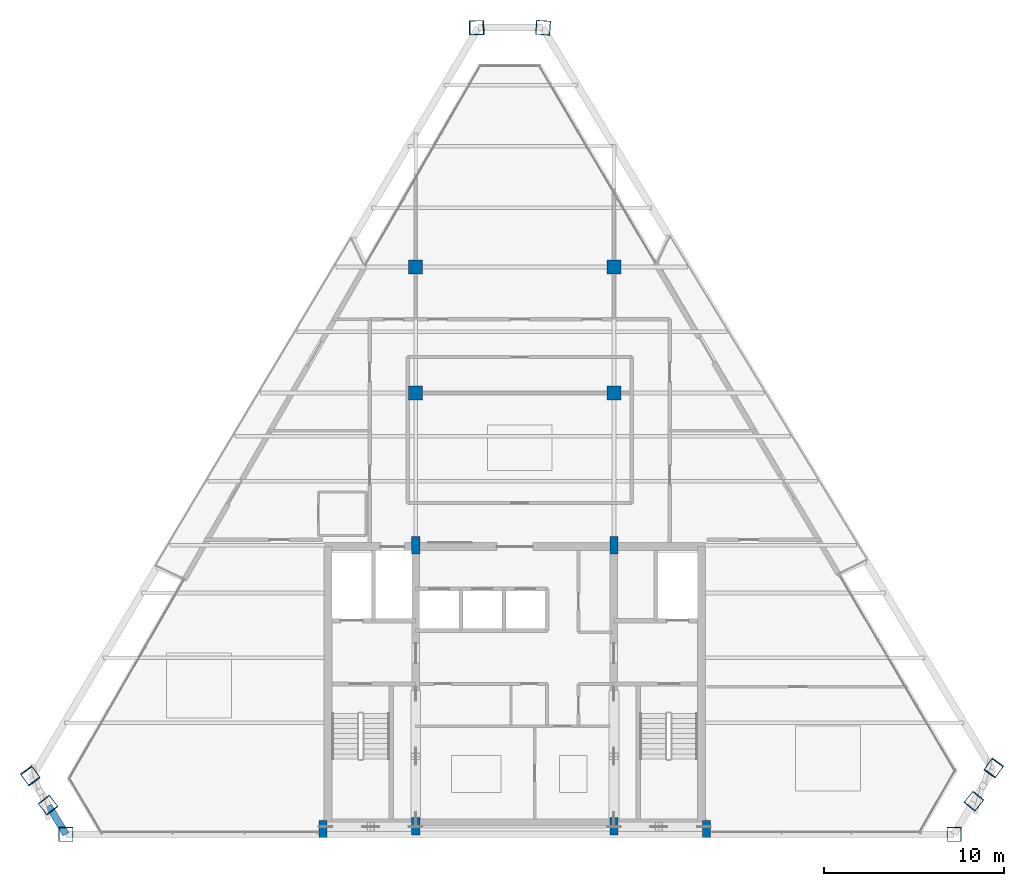
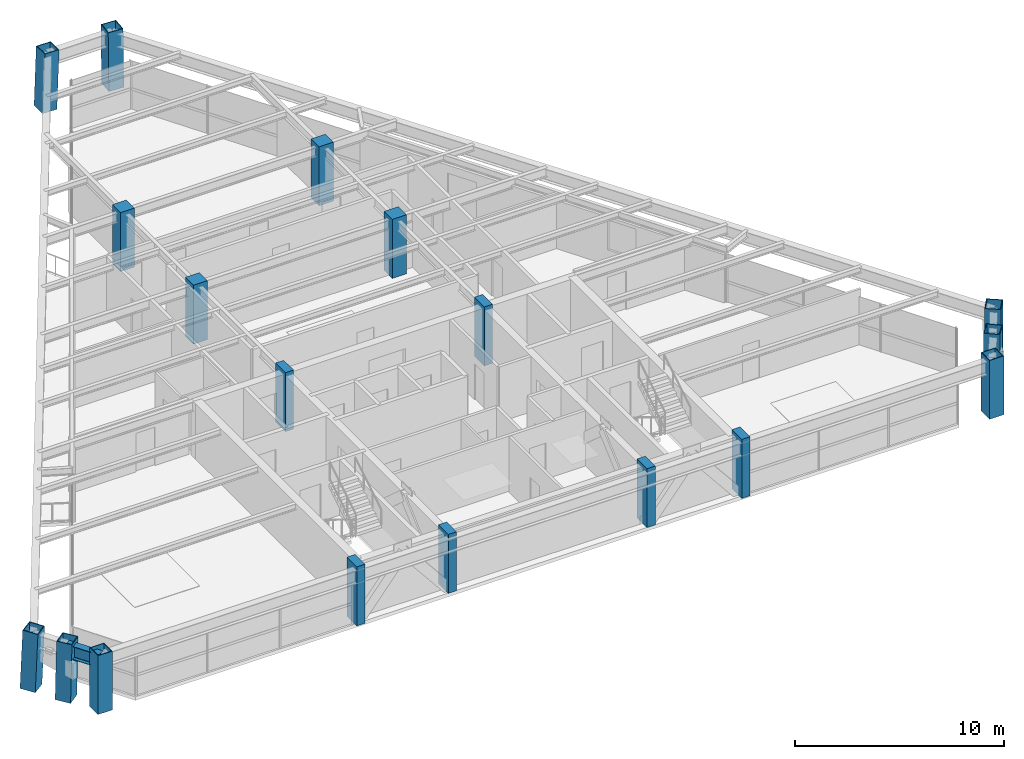
# One storey, part 1 of 13: 18 columns, 1 beam.
"""IFC4 building model written with IfcOpenShell, lengths in metres."""

from ifc_helpers import new_model, si_unit, direction, frame, origin, origin_2d, place, context, subcontext, project, spatial, rectangle, hollow_rectangle, i_section, extrude, source, transform, mapped, material, material_profile, profile_set, type_object, type_shapes, element, save


model = new_model("IFC4")

# Units and contexts
model_context = context("Model", 3, precision=1e-05, world=origin(), true_north=direction((0.0, 1.0)))
body_context = subcontext(model_context, "Body", "Model", "MODEL_VIEW")
ifc_project = project(units=[si_unit("LENGTHUNIT", "METRE"), si_unit("AREAUNIT", "SQUARE_METRE"), si_unit("VOLUMEUNIT", "CUBIC_METRE"), si_unit("PLANEANGLEUNIT", "RADIAN"), si_unit("MASSUNIT", "GRAM", prefix="KILO")], contexts=[model_context])

# Site, building, storey
site_placement = place(None, origin())
site = spatial("IfcSite", under=ifc_project, at=site_placement, CompositionType="ELEMENT")
building_placement = place(site_placement, origin())
building = spatial("IfcBuilding", under=site, at=building_placement, Name="Varnakhor Terracotta Tower", CompositionType="ELEMENT")
storey_placement = place(building_placement, frame((0.0, 0.0, 279.89990234375)))
storey = spatial("IfcBuildingStorey", under=building, at=storey_placement, Name="L73", CompositionType="ELEMENT", Elevation=279.89990234375)

# Columns
ifc_material_1 = material(Name="Concrete C50/60", Category="concrete")
ifc_material_profile_1 = material_profile(ifc_material_1, rectangle(XDim=0.449951171875, YDim=0.949951171875, at=origin_2d()), Name="RC PILASTER 950x450")
ifc_profile_set_1 = profile_set([ifc_material_profile_1], Name="Concrete C50/60")
column_type_1 = type_object("IfcColumnType", Name="COL-PIL-950x450", PredefinedType="PILASTER", material=ifc_profile_set_1)
shared_shape_1 = source(origin(), body_context, "Body", "SweptSolid", [
    extrude(rectangle(XDim=0.449951171875, YDim=0.949951171875, at=origin_2d()), origin(), (0.0, 0.0, 1.0), 3.4501953125),
])
for number, where, z_axis, x_axis, name in (
    (1, (-10.64990234375, 0.300048828125, 0.0), (0.0, 0.0, 1.0), (1.0, 0.0, 0.0), "L73 Core Pilaster CP1"),
    (2, (-5.5, 0.449951171875, 0.0), (0.0, 0.0, 1.0), (1.0, 0.0, 0.0), "L73 Core Pilaster CP2"),
    (3, (5.5, 0.449951171875, 0.0), (0.0, 0.0, 1.0), (1.0, 0.0, 0.0), "L73 Core Pilaster CP3"),
    (4, (10.64990234375, 0.300048828125, 0.0), (0.0, 0.0, 1.0), (1.0, 0.0, 0.0), "L73 Core Pilaster CP4"),
    (5, (-5.5, 16.050048828125, 0.0), (0.0, 0.0, 1.0), (1.0, 0.0, 0.0), "L73 Core Pilaster CP5"),
    (6, (5.5, 16.050048828125, 0.0), (0.0, 0.0, 1.0), (1.0, 0.0, 0.0), "L73 Core Pilaster CP6"),
):
    element("IfcColumn", number, at=place(storey_placement, frame(where, z_axis=z_axis, x_axis=x_axis)), inside=storey, type_object=column_type_1, Name=name, PredefinedType="PILASTER", context=body_context, shape_type="MappedRepresentation", body=[
        mapped(shared_shape_1, transform((0.0, 0.0, 0.0), scale=1.0)),
    ])
ifc_material_profile_2 = material_profile(ifc_material_1, rectangle(XDim=0.780029296875, YDim=0.780029296875, at=origin_2d()), Name="RC 780x780")
ifc_profile_set_2 = profile_set([ifc_material_profile_2], Name="Concrete C50/60")
column_type_2 = type_object("IfcColumnType", Name="COL-RC-780", PredefinedType="COLUMN", material=ifc_profile_set_2)
shared_shape_2 = source(origin(), body_context, "Body", "SweptSolid", [
    extrude(rectangle(XDim=0.780029296875, YDim=0.780029296875, at=origin_2d()), origin(), (0.0, 0.0, 1.0), 3.4501953125),
])
for number, where, z_axis, x_axis, name in (
    (7, (-5.5, 24.5, 0.0), (0.0, 0.0, 1.0), (1.0, 0.0, 0.0), "L73 Interior Tower Column IC1"),
    (8, (5.5, 24.5, 0.0), (0.0, 0.0, 1.0), (1.0, 0.0, 0.0), "L73 Interior Tower Column IC2"),
    (9, (-5.5, 31.5, 0.0), (0.0, 0.0, 1.0), (1.0, 0.0, 0.0), "L73 Interior Tower Column IC3"),
    (10, (5.5, 31.5, 0.0), (0.0, 0.0, 1.0), (1.0, 0.0, 0.0), "L73 Interior Tower Column IC4"),
):
    element("IfcColumn", number, at=place(storey_placement, frame(where, z_axis=z_axis, x_axis=x_axis)), inside=storey, type_object=column_type_2, Name=name, PredefinedType="COLUMN", context=body_context, shape_type="MappedRepresentation", body=[
        mapped(shared_shape_2, transform((0.0, 0.0, 0.0), scale=1.0)),
    ])
ifc_material_2 = material(Name="Steel S355", Category="steel")
ifc_material_profile_3 = material_profile(ifc_material_2, hollow_rectangle(XDim=0.800048828125, YDim=0.800048828125, WallThickness=0.0400390625, at=origin_2d()), Name="BOX 800x800x40")
ifc_profile_set_3 = profile_set([ifc_material_profile_3], Name="Steel S355")
column_type_3 = type_object("IfcColumnType", Name="COL-MEGA-800", PredefinedType="COLUMN", material=ifc_profile_set_3)
shared_shape_3 = source(origin(), body_context, "Body", "SweptSolid", [
    extrude(hollow_rectangle(XDim=0.800048828125, YDim=0.800048828125, WallThickness=0.0400390625, at=origin_2d()), origin(), (0.0, 0.0, 1.0), 3.44140625),
])
type_shapes(column_type_3, [shared_shape_3])
for number, where, z_axis, x_axis, name in (
    (11, (-24.927978515625, 0.0, 0.00439453125), (0.001560724546, 0.0, 0.999998782069), (0.0, 1.0, 0.0), "L73 Perimeter Mega-Column M1"),
    (12, (24.39990234375, 0.0, 0.00439453125), (-0.003192378738, 0.0, 0.999994904346), (0.0, -1.0, 0.0), "L73 Perimeter Mega-Column M2"),
):
    element("IfcColumn", number, at=place(storey_placement, frame(where, z_axis=z_axis, x_axis=x_axis)), inside=storey, type_object=column_type_3, Name=name, PredefinedType="COLUMN", context=body_context, shape_type="MappedRepresentation", body=[
        mapped(shared_shape_3, transform((0.0, 0.0, 0.0), scale=1.0)),
    ])
shared_shape_4 = source(origin(), body_context, "Body", "SweptSolid", [
    extrude(hollow_rectangle(XDim=0.800048828125, YDim=0.800048828125, WallThickness=0.0400390625, at=origin_2d()), origin(), (0.0, 0.0, 1.0), 3.442138671875),
])
for number, where, z_axis, x_axis, name in (
    (13, (25.50341796875, 1.849853515625, 0.00439453125), (-0.012766984447, -0.015604092101, 0.999796737551), (0.773957299203, -0.633237790257, 0.0), "L73 Perimeter Mega-Column M3"),
    (14, (-25.92138671875, 1.630615234375, 0.00439453125), (0.012766825134, -0.016384092255, 0.999784261577), (0.788800290179, 0.614649576762, 0.0), "L73 Perimeter Mega-Column M8"),
):
    element("IfcColumn", number, at=place(storey_placement, frame(where, z_axis=z_axis, x_axis=x_axis)), inside=storey, type_object=column_type_3, Name=name, PredefinedType="COLUMN", context=body_context, shape_type="MappedRepresentation", body=[
        mapped(shared_shape_4, transform((0.0, 0.0, 0.0), scale=1.0)),
    ])
shared_shape_5 = source(origin(), body_context, "Body", "SweptSolid", [
    extrude(hollow_rectangle(XDim=0.800048828125, YDim=0.800048828125, WallThickness=0.0400390625, at=origin_2d()), origin(), (0.0, 0.0, 1.0), 3.44384765625),
])
column_1_placement = place(storey_placement, frame((26.607177734375, 3.69970703125, 0.00439453125), z_axis=(-0.022401220581, -0.031120683023, 0.999264573776), x_axis=(0.811604467602, -0.584207316087, 0.0)))
element("IfcColumn", 15, at=column_1_placement, inside=storey, type_object=column_type_3, Name="L73 Perimeter Mega-Column M4", PredefinedType="COLUMN", context=body_context, shape_type="MappedRepresentation", body=[
    mapped(shared_shape_5, transform((0.0, 0.0, 0.0), scale=1.0)),
])
shared_shape_6 = source(origin(), body_context, "Body", "SweptSolid", [
    extrude(hollow_rectangle(XDim=0.800048828125, YDim=0.800048828125, WallThickness=0.0400390625, at=origin_2d()), origin(), (0.0, 0.0, 1.0), 3.4443359375),
])
column_2_placement = place(storey_placement, frame((-26.914794921875, 3.261474609375, 0.00439453125), z_axis=(0.023958685613, -0.032748262583, 0.999176427205), x_axis=(0.807070933749, 0.590454492656, 0.0)))
element("IfcColumn", 16, at=column_2_placement, inside=storey, type_object=column_type_3, Name="L73 Perimeter Mega-Column M7", PredefinedType="COLUMN", context=body_context, shape_type="MappedRepresentation", body=[
    mapped(shared_shape_6, transform((0.0, 0.0, 0.0), scale=1.0)),
])
shared_shape_7 = source(origin(), body_context, "Body", "SweptSolid", [
    extrude(hollow_rectangle(XDim=0.800048828125, YDim=0.800048828125, WallThickness=0.0400390625, at=origin_2d()), origin(), (0.0, 0.0, 1.0), 3.443603515625),
])
column_3_placement = place(storey_placement, frame((-2.137451171875, 44.787109375, 0.00439453125), z_axis=(0.035377944296, 0.00070897684, 0.999373753112), x_axis=(-0.020036057276, 0.999799258056, 0.0)))
element("IfcColumn", 17, at=column_3_placement, inside=storey, type_object=column_type_3, Name="L73 Perimeter Mega-Column M6", PredefinedType="COLUMN", context=body_context, shape_type="MappedRepresentation", body=[
    mapped(shared_shape_7, transform((0.0, 0.0, 0.0), scale=1.0)),
])
shared_shape_8 = source(origin(), body_context, "Body", "SweptSolid", [
    extrude(hollow_rectangle(XDim=0.800048828125, YDim=0.800048828125, WallThickness=0.0400390625, at=origin_2d()), origin(), (0.0, 0.0, 1.0), 3.441650390625),
])
column_4_placement = place(storey_placement, frame((1.579833984375, 44.787109375, 0.00439453125), z_axis=(-0.010356990107, 0.000709382884, 0.999946113314), x_axis=(-0.068333052409, -0.997662565173, 0.0)))
element("IfcColumn", 18, at=column_4_placement, inside=storey, type_object=column_type_3, Name="L73 Perimeter Mega-Column M5", PredefinedType="COLUMN", context=body_context, shape_type="MappedRepresentation", body=[
    mapped(shared_shape_8, transform((0.0, 0.0, 0.0), scale=1.0)),
])

# Beam
ifc_material_profile_4 = material_profile(ifc_material_2, i_section(OverallWidth=0.381103515625, OverallDepth=0.77294921875, WebThickness=0.01708984375, FlangeThickness=0.027099609375, FilletRadius=0.01806640625, at=origin_2d()), Name="W30X173")
ifc_profile_set_4 = profile_set([ifc_material_profile_4], Name="Steel S355")
beam_type = type_object("IfcBeamType", Name="BM-W30X173", PredefinedType="BEAM", material=ifc_profile_set_4)
shared_shape_9 = source(origin(), body_context, "Body", "SweptSolid", [
    extrude(i_section(OverallWidth=0.381103515625, OverallDepth=0.77294921875, WebThickness=0.01708984375, FlangeThickness=0.027099609375, FilletRadius=0.01806640625, at=origin_2d()), origin(), (0.0, 0.0, 1.0), 1.841064453125),
])
beam_placement = place(storey_placement, frame((-25.87744140625, 1.57421875, 2.853515625), z_axis=(0.518604378336, -0.855014326646, 0.0), x_axis=(0.855014326646, 0.518604378336, 0.0)))
element("IfcBeam", 19, at=beam_placement, inside=storey, type_object=beam_type, Name="L73 Perimeter Spandrel 8", PredefinedType="BEAM", context=body_context, shape_type="MappedRepresentation", body=[
    mapped(shared_shape_9, transform((0.0, 0.0, 0.0), scale=1.0)),
])

save(model, "model.ifc")
